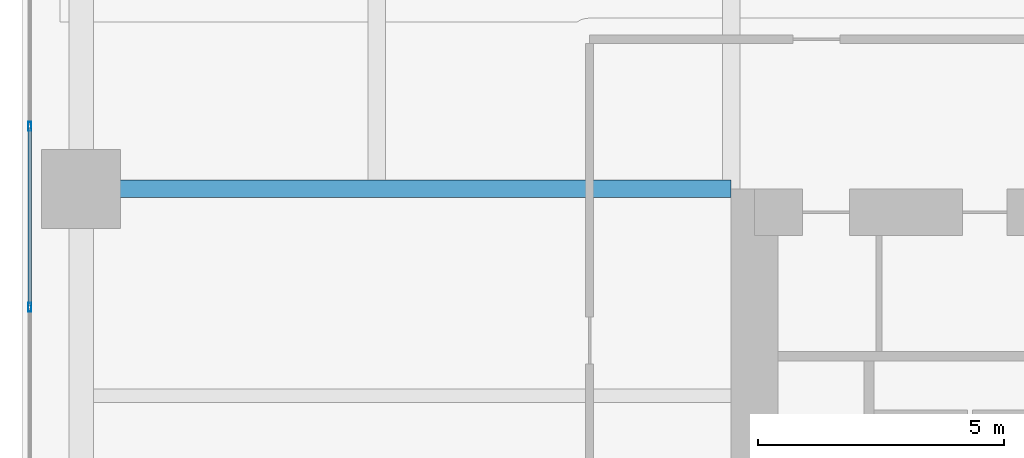
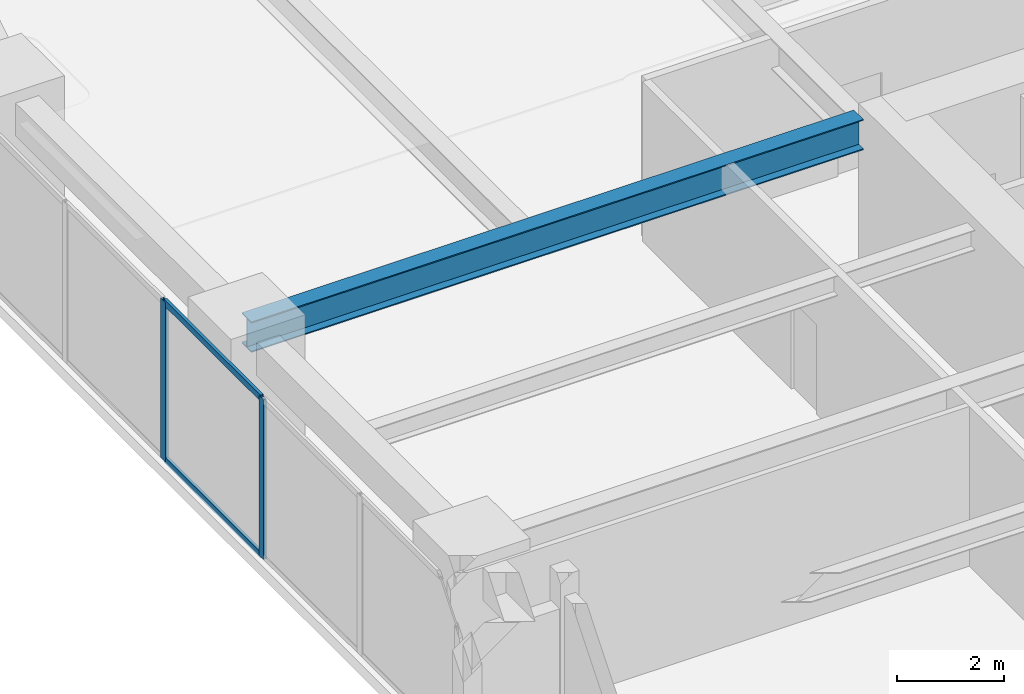
# One storey, part 11 of 28: 4 members, 1 beam, 1 element without a shape of its own.
"""IFC4 building model written with IfcOpenShell, lengths in metres."""

from ifc_helpers import new_model, si_unit, direction, frame, origin, origin_2d, place, context, subcontext, project, spatial, hollow_rectangle, i_section, extrude, material, layer, layer_set, material_profile, profile_set, type_object, element, aggregate, save


model = new_model("IFC4")

# Units and contexts
model_context = context("Model", 3, precision=1e-05, world=origin(), true_north=direction((0.0, 1.0)))
body_context = subcontext(model_context, "Body", "Model", "MODEL_VIEW")
ifc_project = project(units=[si_unit("LENGTHUNIT", "METRE"), si_unit("AREAUNIT", "SQUARE_METRE"), si_unit("VOLUMEUNIT", "CUBIC_METRE"), si_unit("PLANEANGLEUNIT", "RADIAN"), si_unit("MASSUNIT", "GRAM", prefix="KILO")], contexts=[model_context])

# Site, building, storey
site_placement = place(None, origin())
site = spatial("IfcSite", under=ifc_project, at=site_placement, CompositionType="ELEMENT")
building_placement = place(site_placement, origin())
building = spatial("IfcBuilding", under=site, at=building_placement, Name="Kiyonajd Concourse Tower", CompositionType="ELEMENT")
storey_placement = place(building_placement, frame((0.0, 0.0, 64.5)))
storey = spatial("IfcBuildingStorey", under=building, at=storey_placement, Name="L17", CompositionType="ELEMENT", Elevation=64.5)

# Beam
ifc_material_1 = material(Name="Steel ASTM A992 Grade 50", Category="steel")
ifc_material_profile_1 = material_profile(ifc_material_1, i_section(OverallWidth=0.35498046875, OverallDepth=0.695068359375, WebThickness=0.015380859375, FlangeThickness=0.02490234375, at=origin_2d()), Name="W690X217")
ifc_profile_set_1 = profile_set([ifc_material_profile_1], Name="Steel ASTM A992 Grade 50")
beam_type = type_object("IfcBeamType", Name="BM-TWR-690", PredefinedType="BEAM", material=ifc_profile_set_1)
beam_placement = place(storey_placement, frame((19.199951171875, 44.39990234375, 3.29248046875), z_axis=(1.0, 0.0, 0.0), x_axis=(0.0, 1.0, 0.0)))
element("IfcBeam", 1, at=beam_placement, inside=storey, type_object=beam_type, Name="L17 West Lease Girder", PredefinedType="BEAM", context=body_context, shape_type="SweptSolid", body=[
    extrude(i_section(OverallWidth=0.35498046875, OverallDepth=0.695068359375, WebThickness=0.015380859375, FlangeThickness=0.02490234375, at=origin_2d()), origin(), (0.0, 0.0, 1.0), 13.199951171875),
])

# Curtain wall, members
ifc_material_2 = material(Name="Thermally Broken Anodised Aluminium", Category="aluminium")
ifc_layer = layer(ifc_material_2, 0.179931640625)
ifc_layer_set = layer_set([ifc_layer], Name="Thermally Broken Anodised Aluminium")
curtain_wall_type = type_object("IfcCurtainWallType", Name="CW-SYS-02", PredefinedType="NOTDEFINED", material=ifc_layer_set)
curtain_wall_placement = place(storey_placement, origin())
curtain_wall = element("IfcCurtainWall", 2, at=curtain_wall_placement, inside=storey, type_object=curtain_wall_type, Name="L17 Unitised Curtain Wall CW2", PredefinedType="NOTDEFINED")
ifc_material_profile_2 = material_profile(ifc_material_2, hollow_rectangle(XDim=0.06494140625, YDim=0.179931640625, WallThickness=0.00390625, at=origin_2d()), Name="MULL-65x180")
ifc_profile_set_2 = profile_set([ifc_material_profile_2], Name="Thermally Broken Anodised Aluminium")
member_type_1 = type_object("IfcMemberType", Name="MB-CW-MULL1", PredefinedType="MULLION", material=ifc_profile_set_2)
member_1_placement = place(storey_placement, frame((18.159912109375, 41.996337890625, 0.0), z_axis=(0.0, 0.0, 1.0), x_axis=(-1.0, 0.0, 0.0)))
member_1 = element("IfcMember", 3, at=member_1_placement, type_object=member_type_1, Name="CW2 mullion 3", PredefinedType="MULLION", context=body_context, shape_type="SweptSolid", body=[
    extrude(hollow_rectangle(XDim=0.06494140625, YDim=0.179931640625, WallThickness=0.00390625, at=origin_2d()), origin(), (0.0, 0.0, 1.0), 3.639892578125),
])
member_2_placement = place(storey_placement, frame((18.159912109375, 45.66943359375, 0.0), z_axis=(0.0, 0.0, 1.0), x_axis=(-1.0, 0.0, 0.0)))
member_2 = element("IfcMember", 4, at=member_2_placement, type_object=member_type_1, Name="CW2 mullion 4", PredefinedType="MULLION", context=body_context, shape_type="SweptSolid", body=[
    extrude(hollow_rectangle(XDim=0.06494140625, YDim=0.179931640625, WallThickness=0.00390625, at=origin_2d()), origin(), (0.0, 0.0, 1.0), 3.639892578125),
])
ifc_material_profile_3 = material_profile(ifc_material_2, hollow_rectangle(XDim=0.06494140625, YDim=0.139892578125, WallThickness=0.00390625, at=origin_2d()), Name="TRAN-65x140")
ifc_profile_set_3 = profile_set([ifc_material_profile_3], Name="Thermally Broken Anodised Aluminium")
member_type_2 = type_object("IfcMemberType", Name="MB-CW-TRAN1", PredefinedType="USERDEFINED", material=ifc_profile_set_3)
member_3_placement = place(storey_placement, frame((18.159912109375, 42.02880859375, 0.032470703125), z_axis=(0.0, 1.0, 0.0), x_axis=(-1.0, 0.0, 0.0)))
member_3 = element("IfcMember", 5, at=member_3_placement, type_object=member_type_2, Name="CW2 transom 3.1", ObjectType="TRANSOM", PredefinedType="USERDEFINED", context=body_context, shape_type="SweptSolid", body=[
    extrude(hollow_rectangle(XDim=0.06494140625, YDim=0.139892578125, WallThickness=0.00390625, at=origin_2d()), origin(), (0.0, 0.0, 1.0), 3.608154296875),
])
member_4_placement = place(storey_placement, frame((18.159912109375, 42.02880859375, 3.607421875), z_axis=(0.0, 1.0, 0.0), x_axis=(-1.0, 0.0, 0.0)))
member_4 = element("IfcMember", 6, at=member_4_placement, type_object=member_type_2, Name="CW2 transom 3.2", ObjectType="TRANSOM", PredefinedType="USERDEFINED", context=body_context, shape_type="SweptSolid", body=[
    extrude(hollow_rectangle(XDim=0.06494140625, YDim=0.139892578125, WallThickness=0.00390625, at=origin_2d()), origin(), (0.0, 0.0, 1.0), 3.608154296875),
])
aggregate(curtain_wall, [member_1, member_2, member_3, member_4])

save(model, "model.ifc")
